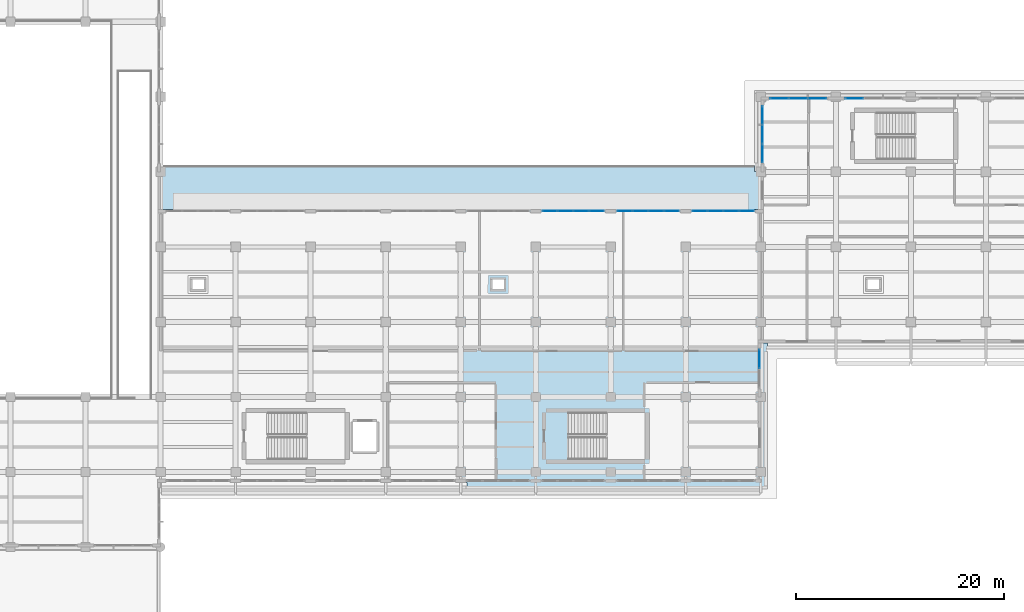
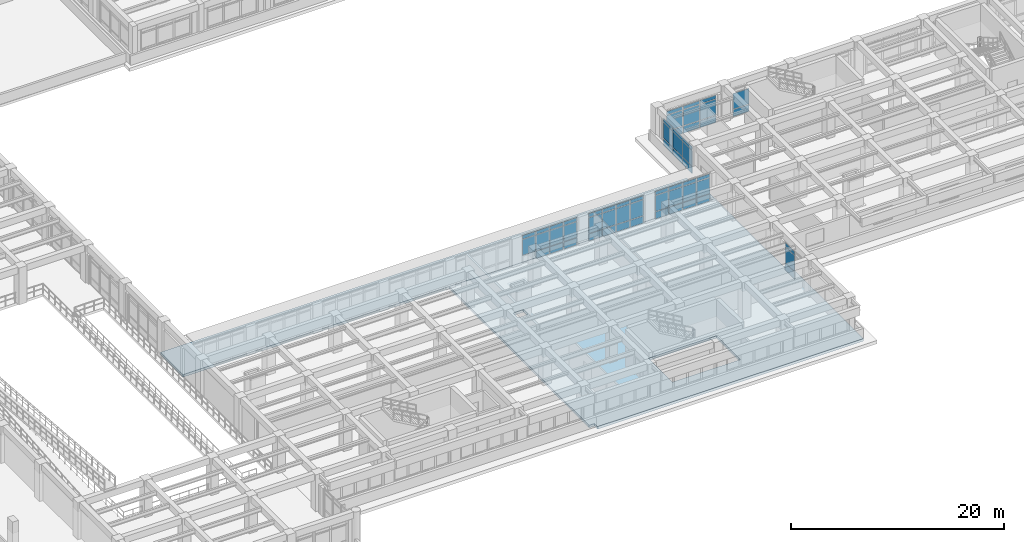
# One storey, part 39 of 69: 58 plates, 2 slabs, 7 elements without a shape of their own.
"""IFC4 building model written with IfcOpenShell, lengths in metres."""

from ifc_helpers import new_model, si_unit, direction, frame, origin, origin_2d, place, context, subcontext, project, spatial, polyline, rectangle, outline, extrude, material, layer, layer_set, type_object, element, aggregate, save


model = new_model("IFC4")

# Units and contexts
model_context = context("Model", 3, precision=1e-05, world=origin(), true_north=direction((0.0, 1.0)))
body_context = subcontext(model_context, "Body", "Model", "MODEL_VIEW")
ifc_project = project(units=[si_unit("LENGTHUNIT", "METRE"), si_unit("AREAUNIT", "SQUARE_METRE"), si_unit("VOLUMEUNIT", "CUBIC_METRE"), si_unit("PLANEANGLEUNIT", "RADIAN"), si_unit("MASSUNIT", "GRAM", prefix="KILO")], contexts=[model_context])

# Site, building, storey
site_placement = place(None, origin())
site = spatial("IfcSite", under=ifc_project, at=site_placement, CompositionType="ELEMENT")
building_placement = place(site_placement, origin())
building = spatial("IfcBuilding", under=site, at=building_placement, Name="Solenvale Faculty of Natural Sciences", CompositionType="ELEMENT")
storey_placement = place(building_placement, frame((0.0, 0.0, 4.5)))
storey = spatial("IfcBuildingStorey", under=building, at=storey_placement, Name="L01", CompositionType="ELEMENT", Elevation=4.5)

# Curtain wall, plates
ifc_material_1 = material(Name="Anodised bronze aluminium", Category="aluminium")
ifc_layer_1 = layer(ifc_material_1, 0.18994140625)
ifc_layer_set_1 = layer_set([ifc_layer_1], Name="Anodised bronze aluminium")
curtain_wall_type_1 = type_object("IfcCurtainWallType", Name="CW-TRAY-REC", PredefinedType="USERDEFINED", material=ifc_layer_set_1)
curtain_wall_1_placement = place(storey_placement, origin())
curtain_wall_1 = element("IfcCurtainWall", 1, at=curtain_wall_1_placement, inside=storey, type_object=curtain_wall_type_1, Name="L01 Curtain Wall CW-L01-P1-E11-B3", ObjectType="UNITISED CURTAIN WALL", PredefinedType="USERDEFINED")
ifc_material_2 = material(Name="North-light skylight glass", Category="glass")
ifc_layer_2 = layer(ifc_material_2, 0.028076171875)
ifc_layer_set_2 = layer_set([ifc_layer_2], Name="North-light skylight glass")
plate_type_1 = type_object("IfcPlateType", Name="CWP-PNL-28", PredefinedType="CURTAIN_PANEL", material=ifc_layer_set_2)
plate_1_placement = place(storey_placement, frame((99.4462890625, 46.637451171875, 0.074951171875), z_axis=(0.0, 0.0, 1.0), x_axis=(-1.0, 0.0, 0.0)))
plate_1 = element("IfcPlate", 2, at=plate_1_placement, type_object=plate_type_1, Name="CW-02 panel 1.1", PredefinedType="CURTAIN_PANEL", context=body_context, shape_type="SweptSolid", body=[
    extrude(rectangle(XDim=1.3974609375, YDim=0.028076171875, at=origin_2d()), origin(), (0.0, 0.0, 1.0), 0.78759765625),
])
plate_2_placement = place(storey_placement, frame((99.4462890625, 46.637451171875, 0.9375), z_axis=(0.0, 0.0, 1.0), x_axis=(-1.0, 0.0, 0.0)))
plate_2 = element("IfcPlate", 3, at=plate_2_placement, type_object=plate_type_1, Name="CW-02 panel 1.2", PredefinedType="CURTAIN_PANEL", context=body_context, shape_type="SweptSolid", body=[
    extrude(rectangle(XDim=1.3974609375, YDim=0.028076171875, at=origin_2d()), origin(), (0.0, 0.0, 1.0), 1.784912109375),
])
plate_3_placement = place(storey_placement, frame((99.4462890625, 46.637451171875, 2.79736328125), z_axis=(0.0, 0.0, 1.0), x_axis=(-1.0, 0.0, 0.0)))
plate_3 = element("IfcPlate", 4, at=plate_3_placement, type_object=plate_type_1, Name="CW-02 panel 1.3", PredefinedType="CURTAIN_PANEL", context=body_context, shape_type="SweptSolid", body=[
    extrude(rectangle(XDim=1.3974609375, YDim=0.028076171875, at=origin_2d()), origin(), (0.0, 0.0, 1.0), 0.387451171875),
])
plate_4_placement = place(storey_placement, frame((97.955078125, 46.637451171875, 0.074951171875), z_axis=(0.0, 0.0, 1.0), x_axis=(-1.0, 0.0, 0.0)))
plate_4 = element("IfcPlate", 5, at=plate_4_placement, type_object=plate_type_1, Name="CW-02 panel 2.1", PredefinedType="CURTAIN_PANEL", context=body_context, shape_type="SweptSolid", body=[
    extrude(rectangle(XDim=1.43505859375, YDim=0.028076171875, at=origin_2d()), origin(), (0.0, 0.0, 1.0), 0.78759765625),
])
plate_5_placement = place(storey_placement, frame((97.955078125, 46.637451171875, 0.9375), z_axis=(0.0, 0.0, 1.0), x_axis=(-1.0, 0.0, 0.0)))
plate_5 = element("IfcPlate", 6, at=plate_5_placement, type_object=plate_type_1, Name="CW-02 panel 2.2", PredefinedType="CURTAIN_PANEL", context=body_context, shape_type="SweptSolid", body=[
    extrude(rectangle(XDim=1.43505859375, YDim=0.028076171875, at=origin_2d()), origin(), (0.0, 0.0, 1.0), 1.784912109375),
])
plate_6_placement = place(storey_placement, frame((97.955078125, 46.637451171875, 2.79736328125), z_axis=(0.0, 0.0, 1.0), x_axis=(-1.0, 0.0, 0.0)))
plate_6 = element("IfcPlate", 7, at=plate_6_placement, type_object=plate_type_1, Name="CW-02 panel 2.3", PredefinedType="CURTAIN_PANEL", context=body_context, shape_type="SweptSolid", body=[
    extrude(rectangle(XDim=1.43505859375, YDim=0.028076171875, at=origin_2d()), origin(), (0.0, 0.0, 1.0), 0.387451171875),
])
plate_7_placement = place(storey_placement, frame((96.445068359375, 46.637451171875, 0.074951171875), z_axis=(0.0, 0.0, 1.0), x_axis=(-1.0, 0.0, 0.0)))
plate_7 = element("IfcPlate", 8, at=plate_7_placement, type_object=plate_type_1, Name="CW-02 panel 3.1", PredefinedType="CURTAIN_PANEL", context=body_context, shape_type="SweptSolid", body=[
    extrude(rectangle(XDim=1.43505859375, YDim=0.028076171875, at=origin_2d()), origin(), (0.0, 0.0, 1.0), 0.78759765625),
])
plate_8_placement = place(storey_placement, frame((96.445068359375, 46.637451171875, 0.9375), z_axis=(0.0, 0.0, 1.0), x_axis=(-1.0, 0.0, 0.0)))
plate_8 = element("IfcPlate", 9, at=plate_8_placement, type_object=plate_type_1, Name="CW-02 panel 3.2", PredefinedType="CURTAIN_PANEL", context=body_context, shape_type="SweptSolid", body=[
    extrude(rectangle(XDim=1.43505859375, YDim=0.028076171875, at=origin_2d()), origin(), (0.0, 0.0, 1.0), 1.784912109375),
])
plate_9_placement = place(storey_placement, frame((96.445068359375, 46.637451171875, 2.79736328125), z_axis=(0.0, 0.0, 1.0), x_axis=(-1.0, 0.0, 0.0)))
plate_9 = element("IfcPlate", 10, at=plate_9_placement, type_object=plate_type_1, Name="CW-02 panel 3.3", PredefinedType="CURTAIN_PANEL", context=body_context, shape_type="SweptSolid", body=[
    extrude(rectangle(XDim=1.43505859375, YDim=0.028076171875, at=origin_2d()), origin(), (0.0, 0.0, 1.0), 0.387451171875),
])
plate_10_placement = place(storey_placement, frame((94.953857421875, 46.637451171875, 0.9375), z_axis=(0.0, 0.0, 1.0), x_axis=(-1.0, 0.0, 0.0)))
plate_10 = element("IfcPlate", 11, at=plate_10_placement, type_object=plate_type_1, Name="CW-02 panel 4.2", PredefinedType="CURTAIN_PANEL", context=body_context, shape_type="SweptSolid", body=[
    extrude(rectangle(XDim=1.3974609375, YDim=0.028076171875, at=origin_2d()), origin(), (0.0, 0.0, 1.0), 1.784912109375),
])
plate_11_placement = place(storey_placement, frame((94.953857421875, 46.637451171875, 2.79736328125), z_axis=(0.0, 0.0, 1.0), x_axis=(-1.0, 0.0, 0.0)))
plate_11 = element("IfcPlate", 12, at=plate_11_placement, type_object=plate_type_1, Name="CW-02 panel 4.3", PredefinedType="CURTAIN_PANEL", context=body_context, shape_type="SweptSolid", body=[
    extrude(rectangle(XDim=1.3974609375, YDim=0.028076171875, at=origin_2d()), origin(), (0.0, 0.0, 1.0), 0.387451171875),
])
aggregate(curtain_wall_1, [plate_1, plate_2, plate_3, plate_4, plate_5, plate_6, plate_7, plate_8, plate_9, plate_10, plate_11])

ifc_layer_3 = layer(ifc_material_1, 0.199951171875)
ifc_layer_set_3 = layer_set([ifc_layer_3], Name="Anodised bronze aluminium")
curtain_wall_type_2 = type_object("IfcCurtainWallType", Name="CW-COM-FIN", PredefinedType="USERDEFINED", material=ifc_layer_set_3)
curtain_wall_2_placement = place(storey_placement, origin())
curtain_wall_2 = element("IfcCurtainWall", 13, at=curtain_wall_2_placement, inside=storey, type_object=curtain_wall_type_2, Name="L01 Curtain Wall CW-L01-P1-E9-B6", ObjectType="UNITISED CURTAIN WALL", PredefinedType="USERDEFINED")
ifc_material_3 = material(Name="Triple low-E insulated glass", Category="glass")
ifc_layer_4 = layer(ifc_material_3, 0.031982421875)
ifc_layer_set_4 = layer_set([ifc_layer_4], Name="Triple low-E insulated glass")
plate_type_2 = type_object("IfcPlateType", Name="CWP-PNL-32", PredefinedType="CURTAIN_PANEL", material=ifc_layer_set_4)
plate_12_placement = place(storey_placement, frame((124.185302734375, 57.45751953125, 0.074951171875), z_axis=(0.0, 0.0, 1.0), x_axis=(-1.0, 0.0, 0.0)))
plate_12 = element("IfcPlate", 14, at=plate_12_placement, type_object=plate_type_2, Name="CW-03 panel 3.1", PredefinedType="CURTAIN_PANEL", context=body_context, shape_type="SweptSolid", body=[
    extrude(rectangle(XDim=1.720947265625, YDim=0.031982421875, at=origin_2d()), origin(), (0.0, 0.0, 1.0), 0.78759765625),
])
plate_13_placement = place(storey_placement, frame((124.185302734375, 57.45751953125, 0.9375), z_axis=(0.0, 0.0, 1.0), x_axis=(-1.0, 0.0, 0.0)))
plate_13 = element("IfcPlate", 15, at=plate_13_placement, type_object=plate_type_2, Name="CW-03 panel 3.2", PredefinedType="CURTAIN_PANEL", context=body_context, shape_type="SweptSolid", body=[
    extrude(rectangle(XDim=1.720947265625, YDim=0.031982421875, at=origin_2d()), origin(), (0.0, 0.0, 1.0), 1.784912109375),
])
aggregate(curtain_wall_2, [plate_12, plate_13])

ifc_layer_5 = layer(ifc_material_1, 0.179931640625)
ifc_layer_set_5 = layer_set([ifc_layer_5], Name="Anodised bronze aluminium")
curtain_wall_type_3 = type_object("IfcCurtainWallType", Name="CW-TWR-MOD", PredefinedType="USERDEFINED", material=ifc_layer_set_5)
curtain_wall_3_placement = place(storey_placement, origin())
curtain_wall_3 = element("IfcCurtainWall", 16, at=curtain_wall_3_placement, inside=storey, type_object=curtain_wall_type_3, Name="L01 Curtain Wall CW-L01-P1-E6-B2", ObjectType="UNITISED CURTAIN WALL", PredefinedType="USERDEFINED")
ifc_layer_6 = layer(ifc_material_3, 0.035888671875)
ifc_layer_set_6 = layer_set([ifc_layer_6], Name="Triple low-E insulated glass")
plate_type_3 = type_object("IfcPlateType", Name="CWP-PNL-36", PredefinedType="CURTAIN_PANEL", material=ifc_layer_set_6)
plate_14_placement = place(storey_placement, frame((115.0576171875, 32.458740234375, 0.074951171875), z_axis=(0.0, 0.0, 1.0), x_axis=(0.0, 1.0, 0.0)))
plate_14 = element("IfcPlate", 17, at=plate_14_placement, type_object=plate_type_3, Name="CW-04 panel 2.1", PredefinedType="CURTAIN_PANEL", context=body_context, shape_type="SweptSolid", body=[
    extrude(rectangle(XDim=1.7724609375, YDim=0.035888671875, at=origin_2d()), origin(), (0.0, 0.0, 1.0), 0.78759765625),
])
plate_15_placement = place(storey_placement, frame((115.0576171875, 32.458740234375, 0.9375), z_axis=(0.0, 0.0, 1.0), x_axis=(0.0, 1.0, 0.0)))
plate_15 = element("IfcPlate", 18, at=plate_15_placement, type_object=plate_type_3, Name="CW-04 panel 2.2", PredefinedType="CURTAIN_PANEL", context=body_context, shape_type="SweptSolid", body=[
    extrude(rectangle(XDim=1.7724609375, YDim=0.035888671875, at=origin_2d()), origin(), (0.0, 0.0, 1.0), 1.784912109375),
])
plate_16_placement = place(storey_placement, frame((115.0576171875, 32.458740234375, 2.79736328125), z_axis=(0.0, 0.0, 1.0), x_axis=(0.0, 1.0, 0.0)))
plate_16 = element("IfcPlate", 19, at=plate_16_placement, type_object=plate_type_3, Name="CW-04 panel 2.3", PredefinedType="CURTAIN_PANEL", context=body_context, shape_type="SweptSolid", body=[
    extrude(rectangle(XDim=1.7724609375, YDim=0.035888671875, at=origin_2d()), origin(), (0.0, 0.0, 1.0), 0.387451171875),
])
aggregate(curtain_wall_3, [plate_14, plate_15, plate_16])

curtain_wall_4_placement = place(storey_placement, origin())
curtain_wall_4 = element("IfcCurtainWall", 20, at=curtain_wall_4_placement, inside=storey, type_object=curtain_wall_type_2, Name="L01 Curtain Wall CW-L01-P1-E9-B7", ObjectType="UNITISED CURTAIN WALL", PredefinedType="USERDEFINED")
plate_17_placement = place(storey_placement, frame((120.614501953125, 57.45751953125, 0.074951171875), z_axis=(0.0, 0.0, 1.0), x_axis=(-1.0, 0.0, 0.0)))
plate_17 = element("IfcPlate", 21, at=plate_17_placement, type_object=plate_type_3, Name="CW-03 panel 1.1", PredefinedType="CURTAIN_PANEL", context=body_context, shape_type="SweptSolid", body=[
    extrude(rectangle(XDim=1.720947265625, YDim=0.035888671875, at=origin_2d()), origin(), (0.0, 0.0, 1.0), 0.78759765625),
])
plate_18_placement = place(storey_placement, frame((120.614501953125, 57.45751953125, 0.9375), z_axis=(0.0, 0.0, 1.0), x_axis=(-1.0, 0.0, 0.0)))
plate_18 = element("IfcPlate", 22, at=plate_18_placement, type_object=plate_type_3, Name="CW-03 panel 1.2", PredefinedType="CURTAIN_PANEL", context=body_context, shape_type="SweptSolid", body=[
    extrude(rectangle(XDim=1.720947265625, YDim=0.035888671875, at=origin_2d()), origin(), (0.0, 0.0, 1.0), 1.784912109375),
])
plate_19_placement = place(storey_placement, frame((120.614501953125, 57.45751953125, 2.79736328125), z_axis=(0.0, 0.0, 1.0), x_axis=(-1.0, 0.0, 0.0)))
plate_19 = element("IfcPlate", 23, at=plate_19_placement, type_object=plate_type_3, Name="CW-03 panel 1.3", PredefinedType="CURTAIN_PANEL", context=body_context, shape_type="SweptSolid", body=[
    extrude(rectangle(XDim=1.720947265625, YDim=0.035888671875, at=origin_2d()), origin(), (0.0, 0.0, 1.0), 0.387451171875),
])
plate_20_placement = place(storey_placement, frame((118.800048828125, 57.45751953125, 0.074951171875), z_axis=(0.0, 0.0, 1.0), x_axis=(-1.0, 0.0, 0.0)))
plate_20 = element("IfcPlate", 24, at=plate_20_placement, type_object=plate_type_3, Name="CW-03 panel 2.1", PredefinedType="CURTAIN_PANEL", context=body_context, shape_type="SweptSolid", body=[
    extrude(rectangle(XDim=1.75830078125, YDim=0.035888671875, at=origin_2d()), origin(), (0.0, 0.0, 1.0), 0.78759765625),
])
plate_21_placement = place(storey_placement, frame((118.800048828125, 57.45751953125, 0.9375), z_axis=(0.0, 0.0, 1.0), x_axis=(-1.0, 0.0, 0.0)))
plate_21 = element("IfcPlate", 25, at=plate_21_placement, type_object=plate_type_3, Name="CW-03 panel 2.2", PredefinedType="CURTAIN_PANEL", context=body_context, shape_type="SweptSolid", body=[
    extrude(rectangle(XDim=1.75830078125, YDim=0.035888671875, at=origin_2d()), origin(), (0.0, 0.0, 1.0), 1.784912109375),
])
plate_22_placement = place(storey_placement, frame((118.800048828125, 57.45751953125, 2.79736328125), z_axis=(0.0, 0.0, 1.0), x_axis=(-1.0, 0.0, 0.0)))
plate_22 = element("IfcPlate", 26, at=plate_22_placement, type_object=plate_type_3, Name="CW-03 panel 2.3", PredefinedType="CURTAIN_PANEL", context=body_context, shape_type="SweptSolid", body=[
    extrude(rectangle(XDim=1.75830078125, YDim=0.035888671875, at=origin_2d()), origin(), (0.0, 0.0, 1.0), 0.387451171875),
])
plate_23_placement = place(storey_placement, frame((116.9853515625, 57.45751953125, 0.074951171875), z_axis=(0.0, 0.0, 1.0), x_axis=(-1.0, 0.0, 0.0)))
plate_23 = element("IfcPlate", 27, at=plate_23_placement, type_object=plate_type_3, Name="CW-03 panel 3.1", PredefinedType="CURTAIN_PANEL", context=body_context, shape_type="SweptSolid", body=[
    extrude(rectangle(XDim=1.720947265625, YDim=0.035888671875, at=origin_2d()), origin(), (0.0, 0.0, 1.0), 0.78759765625),
])
plate_24_placement = place(storey_placement, frame((116.9853515625, 57.45751953125, 0.9375), z_axis=(0.0, 0.0, 1.0), x_axis=(-1.0, 0.0, 0.0)))
plate_24 = element("IfcPlate", 28, at=plate_24_placement, type_object=plate_type_3, Name="CW-03 panel 3.2", PredefinedType="CURTAIN_PANEL", context=body_context, shape_type="SweptSolid", body=[
    extrude(rectangle(XDim=1.720947265625, YDim=0.035888671875, at=origin_2d()), origin(), (0.0, 0.0, 1.0), 1.784912109375),
])
plate_25_placement = place(storey_placement, frame((116.9853515625, 57.45751953125, 2.79736328125), z_axis=(0.0, 0.0, 1.0), x_axis=(-1.0, 0.0, 0.0)))
plate_25 = element("IfcPlate", 29, at=plate_25_placement, type_object=plate_type_3, Name="CW-03 panel 3.3", PredefinedType="CURTAIN_PANEL", context=body_context, shape_type="SweptSolid", body=[
    extrude(rectangle(XDim=1.720947265625, YDim=0.035888671875, at=origin_2d()), origin(), (0.0, 0.0, 1.0), 0.387451171875),
])
aggregate(curtain_wall_4, [plate_17, plate_18, plate_19, plate_20, plate_21, plate_22, plate_23, plate_24, plate_25])

curtain_wall_5_placement = place(storey_placement, origin())
curtain_wall_5 = element("IfcCurtainWall", 30, at=curtain_wall_5_placement, inside=storey, type_object=curtain_wall_type_2, Name="L01 Curtain Wall CW-L01-P1-E10-B1", ObjectType="UNITISED CURTAIN WALL", PredefinedType="USERDEFINED")
ifc_layer_7 = layer(ifc_material_1, 0.048095703125)
ifc_layer_set_7 = layer_set([ifc_layer_7], Name="Anodised bronze aluminium")
plate_type_4 = type_object("IfcPlateType", Name="CWP-PNL-48", PredefinedType="CURTAIN_PANEL", material=ifc_layer_set_7)
plate_26_placement = place(storey_placement, frame((115.342529296875, 55.814697265625, 0.074951171875), z_axis=(0.0, 0.0, 1.0), x_axis=(0.0, -1.0, 0.0)))
plate_26 = element("IfcPlate", 31, at=plate_26_placement, type_object=plate_type_4, Name="CW-03 panel 1.1", PredefinedType="CURTAIN_PANEL", context=body_context, shape_type="SweptSolid", body=[
    extrude(rectangle(XDim=1.720947265625, YDim=0.048095703125, at=origin_2d()), origin(), (0.0, 0.0, 1.0), 0.78759765625),
])
plate_27_placement = place(storey_placement, frame((115.342529296875, 55.814697265625, 0.9375), z_axis=(0.0, 0.0, 1.0), x_axis=(0.0, -1.0, 0.0)))
plate_27 = element("IfcPlate", 32, at=plate_27_placement, type_object=plate_type_4, Name="CW-03 panel 1.2", PredefinedType="CURTAIN_PANEL", context=body_context, shape_type="SweptSolid", body=[
    extrude(rectangle(XDim=1.720947265625, YDim=0.048095703125, at=origin_2d()), origin(), (0.0, 0.0, 1.0), 1.784912109375),
])
plate_28_placement = place(storey_placement, frame((115.342529296875, 55.814697265625, 2.79736328125), z_axis=(0.0, 0.0, 1.0), x_axis=(0.0, -1.0, 0.0)))
plate_28 = element("IfcPlate", 33, at=plate_28_placement, type_object=plate_type_4, Name="CW-03 panel 1.3", PredefinedType="CURTAIN_PANEL", context=body_context, shape_type="SweptSolid", body=[
    extrude(rectangle(XDim=1.720947265625, YDim=0.048095703125, at=origin_2d()), origin(), (0.0, 0.0, 1.0), 0.387451171875),
])
plate_29_placement = place(storey_placement, frame((115.342529296875, 54.0, 0.074951171875), z_axis=(0.0, 0.0, 1.0), x_axis=(0.0, -1.0, 0.0)))
plate_29 = element("IfcPlate", 34, at=plate_29_placement, type_object=plate_type_4, Name="CW-03 panel 2.1", PredefinedType="CURTAIN_PANEL", context=body_context, shape_type="SweptSolid", body=[
    extrude(rectangle(XDim=1.75830078125, YDim=0.048095703125, at=origin_2d()), origin(), (0.0, 0.0, 1.0), 0.78759765625),
])
plate_30_placement = place(storey_placement, frame((115.342529296875, 54.0, 0.9375), z_axis=(0.0, 0.0, 1.0), x_axis=(0.0, -1.0, 0.0)))
plate_30 = element("IfcPlate", 35, at=plate_30_placement, type_object=plate_type_4, Name="CW-03 panel 2.2", PredefinedType="CURTAIN_PANEL", context=body_context, shape_type="SweptSolid", body=[
    extrude(rectangle(XDim=1.75830078125, YDim=0.048095703125, at=origin_2d()), origin(), (0.0, 0.0, 1.0), 1.784912109375),
])
plate_31_placement = place(storey_placement, frame((115.342529296875, 54.0, 2.79736328125), z_axis=(0.0, 0.0, 1.0), x_axis=(0.0, -1.0, 0.0)))
plate_31 = element("IfcPlate", 36, at=plate_31_placement, type_object=plate_type_4, Name="CW-03 panel 2.3", PredefinedType="CURTAIN_PANEL", context=body_context, shape_type="SweptSolid", body=[
    extrude(rectangle(XDim=1.75830078125, YDim=0.048095703125, at=origin_2d()), origin(), (0.0, 0.0, 1.0), 0.387451171875),
])
plate_32_placement = place(storey_placement, frame((115.342529296875, 52.185302734375, 0.074951171875), z_axis=(0.0, 0.0, 1.0), x_axis=(0.0, -1.0, 0.0)))
plate_32 = element("IfcPlate", 37, at=plate_32_placement, type_object=plate_type_4, Name="CW-03 panel 3.1", PredefinedType="CURTAIN_PANEL", context=body_context, shape_type="SweptSolid", body=[
    extrude(rectangle(XDim=1.720947265625, YDim=0.048095703125, at=origin_2d()), origin(), (0.0, 0.0, 1.0), 0.78759765625),
])
plate_33_placement = place(storey_placement, frame((115.342529296875, 52.185302734375, 0.9375), z_axis=(0.0, 0.0, 1.0), x_axis=(0.0, -1.0, 0.0)))
plate_33 = element("IfcPlate", 38, at=plate_33_placement, type_object=plate_type_4, Name="CW-03 panel 3.2", PredefinedType="CURTAIN_PANEL", context=body_context, shape_type="SweptSolid", body=[
    extrude(rectangle(XDim=1.720947265625, YDim=0.048095703125, at=origin_2d()), origin(), (0.0, 0.0, 1.0), 1.784912109375),
])
plate_34_placement = place(storey_placement, frame((115.342529296875, 52.185302734375, 2.79736328125), z_axis=(0.0, 0.0, 1.0), x_axis=(0.0, -1.0, 0.0)))
plate_34 = element("IfcPlate", 39, at=plate_34_placement, type_object=plate_type_4, Name="CW-03 panel 3.3", PredefinedType="CURTAIN_PANEL", context=body_context, shape_type="SweptSolid", body=[
    extrude(rectangle(XDim=1.720947265625, YDim=0.048095703125, at=origin_2d()), origin(), (0.0, 0.0, 1.0), 0.387451171875),
])
aggregate(curtain_wall_5, [plate_26, plate_27, plate_28, plate_29, plate_30, plate_31, plate_32, plate_33, plate_34])

curtain_wall_6_placement = place(storey_placement, origin())
curtain_wall_6 = element("IfcCurtainWall", 40, at=curtain_wall_6_placement, inside=storey, type_object=curtain_wall_type_1, Name="L01 Curtain Wall CW-L01-P1-E11-B1", ObjectType="UNITISED CURTAIN WALL", PredefinedType="USERDEFINED")
ifc_layer_8 = layer(ifc_material_1, 0.053955078125)
ifc_layer_set_8 = layer_set([ifc_layer_8], Name="Anodised bronze aluminium")
plate_type_5 = type_object("IfcPlateType", Name="CWP-PNL-54", PredefinedType="CURTAIN_PANEL", material=ifc_layer_set_8)
plate_35_placement = place(storey_placement, frame((113.84619140625, 46.637451171875, 0.074951171875), z_axis=(0.0, 0.0, 1.0), x_axis=(-1.0, 0.0, 0.0)))
plate_35 = element("IfcPlate", 41, at=plate_35_placement, type_object=plate_type_5, Name="CW-02 panel 1.1", PredefinedType="CURTAIN_PANEL", context=body_context, shape_type="SweptSolid", body=[
    extrude(rectangle(XDim=1.3974609375, YDim=0.053955078125, at=origin_2d()), origin(), (0.0, 0.0, 1.0), 0.78759765625),
])
plate_36_placement = place(storey_placement, frame((113.84619140625, 46.637451171875, 0.9375), z_axis=(0.0, 0.0, 1.0), x_axis=(-1.0, 0.0, 0.0)))
plate_36 = element("IfcPlate", 42, at=plate_36_placement, type_object=plate_type_5, Name="CW-02 panel 1.2", PredefinedType="CURTAIN_PANEL", context=body_context, shape_type="SweptSolid", body=[
    extrude(rectangle(XDim=1.3974609375, YDim=0.053955078125, at=origin_2d()), origin(), (0.0, 0.0, 1.0), 1.784912109375),
])
plate_37_placement = place(storey_placement, frame((113.84619140625, 46.637451171875, 2.79736328125), z_axis=(0.0, 0.0, 1.0), x_axis=(-1.0, 0.0, 0.0)))
plate_37 = element("IfcPlate", 43, at=plate_37_placement, type_object=plate_type_5, Name="CW-02 panel 1.3", PredefinedType="CURTAIN_PANEL", context=body_context, shape_type="SweptSolid", body=[
    extrude(rectangle(XDim=1.3974609375, YDim=0.053955078125, at=origin_2d()), origin(), (0.0, 0.0, 1.0), 0.387451171875),
])
plate_38_placement = place(storey_placement, frame((112.35498046875, 46.637451171875, 0.074951171875), z_axis=(0.0, 0.0, 1.0), x_axis=(-1.0, 0.0, 0.0)))
plate_38 = element("IfcPlate", 44, at=plate_38_placement, type_object=plate_type_5, Name="CW-02 panel 2.1", PredefinedType="CURTAIN_PANEL", context=body_context, shape_type="SweptSolid", body=[
    extrude(rectangle(XDim=1.43505859375, YDim=0.053955078125, at=origin_2d()), origin(), (0.0, 0.0, 1.0), 0.78759765625),
])
plate_39_placement = place(storey_placement, frame((112.35498046875, 46.637451171875, 0.9375), z_axis=(0.0, 0.0, 1.0), x_axis=(-1.0, 0.0, 0.0)))
plate_39 = element("IfcPlate", 45, at=plate_39_placement, type_object=plate_type_5, Name="CW-02 panel 2.2", PredefinedType="CURTAIN_PANEL", context=body_context, shape_type="SweptSolid", body=[
    extrude(rectangle(XDim=1.43505859375, YDim=0.053955078125, at=origin_2d()), origin(), (0.0, 0.0, 1.0), 1.784912109375),
])
plate_40_placement = place(storey_placement, frame((112.35498046875, 46.637451171875, 2.79736328125), z_axis=(0.0, 0.0, 1.0), x_axis=(-1.0, 0.0, 0.0)))
plate_40 = element("IfcPlate", 46, at=plate_40_placement, type_object=plate_type_5, Name="CW-02 panel 2.3", PredefinedType="CURTAIN_PANEL", context=body_context, shape_type="SweptSolid", body=[
    extrude(rectangle(XDim=1.43505859375, YDim=0.053955078125, at=origin_2d()), origin(), (0.0, 0.0, 1.0), 0.387451171875),
])
plate_41_placement = place(storey_placement, frame((110.844970703125, 46.637451171875, 0.074951171875), z_axis=(0.0, 0.0, 1.0), x_axis=(-1.0, 0.0, 0.0)))
plate_41 = element("IfcPlate", 47, at=plate_41_placement, type_object=plate_type_5, Name="CW-02 panel 3.1", PredefinedType="CURTAIN_PANEL", context=body_context, shape_type="SweptSolid", body=[
    extrude(rectangle(XDim=1.43505859375, YDim=0.053955078125, at=origin_2d()), origin(), (0.0, 0.0, 1.0), 0.78759765625),
])
plate_42_placement = place(storey_placement, frame((110.844970703125, 46.637451171875, 0.9375), z_axis=(0.0, 0.0, 1.0), x_axis=(-1.0, 0.0, 0.0)))
plate_42 = element("IfcPlate", 48, at=plate_42_placement, type_object=plate_type_5, Name="CW-02 panel 3.2", PredefinedType="CURTAIN_PANEL", context=body_context, shape_type="SweptSolid", body=[
    extrude(rectangle(XDim=1.43505859375, YDim=0.053955078125, at=origin_2d()), origin(), (0.0, 0.0, 1.0), 1.784912109375),
])
plate_43_placement = place(storey_placement, frame((110.844970703125, 46.637451171875, 2.79736328125), z_axis=(0.0, 0.0, 1.0), x_axis=(-1.0, 0.0, 0.0)))
plate_43 = element("IfcPlate", 49, at=plate_43_placement, type_object=plate_type_5, Name="CW-02 panel 3.3", PredefinedType="CURTAIN_PANEL", context=body_context, shape_type="SweptSolid", body=[
    extrude(rectangle(XDim=1.43505859375, YDim=0.053955078125, at=origin_2d()), origin(), (0.0, 0.0, 1.0), 0.387451171875),
])
plate_44_placement = place(storey_placement, frame((109.353759765625, 46.637451171875, 0.074951171875), z_axis=(0.0, 0.0, 1.0), x_axis=(-1.0, 0.0, 0.0)))
plate_44 = element("IfcPlate", 50, at=plate_44_placement, type_object=plate_type_5, Name="CW-02 panel 4.1", PredefinedType="CURTAIN_PANEL", context=body_context, shape_type="SweptSolid", body=[
    extrude(rectangle(XDim=1.3974609375, YDim=0.053955078125, at=origin_2d()), origin(), (0.0, 0.0, 1.0), 0.78759765625),
])
plate_45_placement = place(storey_placement, frame((109.353759765625, 46.637451171875, 0.9375), z_axis=(0.0, 0.0, 1.0), x_axis=(-1.0, 0.0, 0.0)))
plate_45 = element("IfcPlate", 51, at=plate_45_placement, type_object=plate_type_5, Name="CW-02 panel 4.2", PredefinedType="CURTAIN_PANEL", context=body_context, shape_type="SweptSolid", body=[
    extrude(rectangle(XDim=1.3974609375, YDim=0.053955078125, at=origin_2d()), origin(), (0.0, 0.0, 1.0), 1.784912109375),
])
plate_46_placement = place(storey_placement, frame((109.353759765625, 46.637451171875, 2.79736328125), z_axis=(0.0, 0.0, 1.0), x_axis=(-1.0, 0.0, 0.0)))
plate_46 = element("IfcPlate", 52, at=plate_46_placement, type_object=plate_type_5, Name="CW-02 panel 4.3", PredefinedType="CURTAIN_PANEL", context=body_context, shape_type="SweptSolid", body=[
    extrude(rectangle(XDim=1.3974609375, YDim=0.053955078125, at=origin_2d()), origin(), (0.0, 0.0, 1.0), 0.387451171875),
])
aggregate(curtain_wall_6, [plate_35, plate_36, plate_37, plate_38, plate_39, plate_40, plate_41, plate_42, plate_43, plate_44, plate_45, plate_46])

curtain_wall_7_placement = place(storey_placement, origin())
curtain_wall_7 = element("IfcCurtainWall", 53, at=curtain_wall_7_placement, inside=storey, type_object=curtain_wall_type_1, Name="L01 Curtain Wall CW-L01-P1-E11-B2", ObjectType="UNITISED CURTAIN WALL", PredefinedType="USERDEFINED")
ifc_layer_9 = layer(ifc_material_1, 0.06005859375)
ifc_layer_set_9 = layer_set([ifc_layer_9], Name="Anodised bronze aluminium")
plate_type_6 = type_object("IfcPlateType", Name="CWP-PNL-60", PredefinedType="CURTAIN_PANEL", material=ifc_layer_set_9)
plate_47_placement = place(storey_placement, frame((106.646240234375, 46.637451171875, 0.074951171875), z_axis=(0.0, 0.0, 1.0), x_axis=(-1.0, 0.0, 0.0)))
plate_47 = element("IfcPlate", 54, at=plate_47_placement, type_object=plate_type_6, Name="CW-02 panel 1.1", PredefinedType="CURTAIN_PANEL", context=body_context, shape_type="SweptSolid", body=[
    extrude(rectangle(XDim=1.3974609375, YDim=0.06005859375, at=origin_2d()), origin(), (0.0, 0.0, 1.0), 0.78759765625),
])
plate_48_placement = place(storey_placement, frame((106.646240234375, 46.637451171875, 0.9375), z_axis=(0.0, 0.0, 1.0), x_axis=(-1.0, 0.0, 0.0)))
plate_48 = element("IfcPlate", 55, at=plate_48_placement, type_object=plate_type_6, Name="CW-02 panel 1.2", PredefinedType="CURTAIN_PANEL", context=body_context, shape_type="SweptSolid", body=[
    extrude(rectangle(XDim=1.3974609375, YDim=0.06005859375, at=origin_2d()), origin(), (0.0, 0.0, 1.0), 1.784912109375),
])
plate_49_placement = place(storey_placement, frame((106.646240234375, 46.637451171875, 2.79736328125), z_axis=(0.0, 0.0, 1.0), x_axis=(-1.0, 0.0, 0.0)))
plate_49 = element("IfcPlate", 56, at=plate_49_placement, type_object=plate_type_6, Name="CW-02 panel 1.3", PredefinedType="CURTAIN_PANEL", context=body_context, shape_type="SweptSolid", body=[
    extrude(rectangle(XDim=1.3974609375, YDim=0.06005859375, at=origin_2d()), origin(), (0.0, 0.0, 1.0), 0.387451171875),
])
plate_50_placement = place(storey_placement, frame((105.155029296875, 46.637451171875, 0.074951171875), z_axis=(0.0, 0.0, 1.0), x_axis=(-1.0, 0.0, 0.0)))
plate_50 = element("IfcPlate", 57, at=plate_50_placement, type_object=plate_type_6, Name="CW-02 panel 2.1", PredefinedType="CURTAIN_PANEL", context=body_context, shape_type="SweptSolid", body=[
    extrude(rectangle(XDim=1.43505859375, YDim=0.06005859375, at=origin_2d()), origin(), (0.0, 0.0, 1.0), 0.78759765625),
])
plate_51_placement = place(storey_placement, frame((105.155029296875, 46.637451171875, 0.9375), z_axis=(0.0, 0.0, 1.0), x_axis=(-1.0, 0.0, 0.0)))
plate_51 = element("IfcPlate", 58, at=plate_51_placement, type_object=plate_type_6, Name="CW-02 panel 2.2", PredefinedType="CURTAIN_PANEL", context=body_context, shape_type="SweptSolid", body=[
    extrude(rectangle(XDim=1.43505859375, YDim=0.06005859375, at=origin_2d()), origin(), (0.0, 0.0, 1.0), 1.784912109375),
])
plate_52_placement = place(storey_placement, frame((105.155029296875, 46.637451171875, 2.79736328125), z_axis=(0.0, 0.0, 1.0), x_axis=(-1.0, 0.0, 0.0)))
plate_52 = element("IfcPlate", 59, at=plate_52_placement, type_object=plate_type_6, Name="CW-02 panel 2.3", PredefinedType="CURTAIN_PANEL", context=body_context, shape_type="SweptSolid", body=[
    extrude(rectangle(XDim=1.43505859375, YDim=0.06005859375, at=origin_2d()), origin(), (0.0, 0.0, 1.0), 0.387451171875),
])
plate_53_placement = place(storey_placement, frame((103.64501953125, 46.637451171875, 0.074951171875), z_axis=(0.0, 0.0, 1.0), x_axis=(-1.0, 0.0, 0.0)))
plate_53 = element("IfcPlate", 60, at=plate_53_placement, type_object=plate_type_6, Name="CW-02 panel 3.1", PredefinedType="CURTAIN_PANEL", context=body_context, shape_type="SweptSolid", body=[
    extrude(rectangle(XDim=1.43505859375, YDim=0.06005859375, at=origin_2d()), origin(), (0.0, 0.0, 1.0), 0.78759765625),
])
plate_54_placement = place(storey_placement, frame((103.64501953125, 46.637451171875, 0.9375), z_axis=(0.0, 0.0, 1.0), x_axis=(-1.0, 0.0, 0.0)))
plate_54 = element("IfcPlate", 61, at=plate_54_placement, type_object=plate_type_6, Name="CW-02 panel 3.2", PredefinedType="CURTAIN_PANEL", context=body_context, shape_type="SweptSolid", body=[
    extrude(rectangle(XDim=1.43505859375, YDim=0.06005859375, at=origin_2d()), origin(), (0.0, 0.0, 1.0), 1.784912109375),
])
plate_55_placement = place(storey_placement, frame((103.64501953125, 46.637451171875, 2.79736328125), z_axis=(0.0, 0.0, 1.0), x_axis=(-1.0, 0.0, 0.0)))
plate_55 = element("IfcPlate", 62, at=plate_55_placement, type_object=plate_type_6, Name="CW-02 panel 3.3", PredefinedType="CURTAIN_PANEL", context=body_context, shape_type="SweptSolid", body=[
    extrude(rectangle(XDim=1.43505859375, YDim=0.06005859375, at=origin_2d()), origin(), (0.0, 0.0, 1.0), 0.387451171875),
])
plate_56_placement = place(storey_placement, frame((102.15380859375, 46.637451171875, 0.074951171875), z_axis=(0.0, 0.0, 1.0), x_axis=(-1.0, 0.0, 0.0)))
plate_56 = element("IfcPlate", 63, at=plate_56_placement, type_object=plate_type_6, Name="CW-02 panel 4.1", PredefinedType="CURTAIN_PANEL", context=body_context, shape_type="SweptSolid", body=[
    extrude(rectangle(XDim=1.3974609375, YDim=0.06005859375, at=origin_2d()), origin(), (0.0, 0.0, 1.0), 0.78759765625),
])
plate_57_placement = place(storey_placement, frame((102.15380859375, 46.637451171875, 0.9375), z_axis=(0.0, 0.0, 1.0), x_axis=(-1.0, 0.0, 0.0)))
plate_57 = element("IfcPlate", 64, at=plate_57_placement, type_object=plate_type_6, Name="CW-02 panel 4.2", PredefinedType="CURTAIN_PANEL", context=body_context, shape_type="SweptSolid", body=[
    extrude(rectangle(XDim=1.3974609375, YDim=0.06005859375, at=origin_2d()), origin(), (0.0, 0.0, 1.0), 1.784912109375),
])
plate_58_placement = place(storey_placement, frame((102.15380859375, 46.637451171875, 2.79736328125), z_axis=(0.0, 0.0, 1.0), x_axis=(-1.0, 0.0, 0.0)))
plate_58 = element("IfcPlate", 65, at=plate_58_placement, type_object=plate_type_6, Name="CW-02 panel 4.3", PredefinedType="CURTAIN_PANEL", context=body_context, shape_type="SweptSolid", body=[
    extrude(rectangle(XDim=1.3974609375, YDim=0.06005859375, at=origin_2d()), origin(), (0.0, 0.0, 1.0), 0.387451171875),
])
aggregate(curtain_wall_7, [plate_47, plate_48, plate_49, plate_50, plate_51, plate_52, plate_53, plate_54, plate_55, plate_56, plate_57, plate_58])

# Slabs
ifc_material_4 = material(Name="Precast terrace paving concrete 35 MPa", Category="concrete")
ifc_layer_10 = layer(ifc_material_4, 0.280029296875)
ifc_layer_set_10 = layer_set([ifc_layer_10], Name="Precast terrace paving concrete 35 MPa")
slab_type_1 = type_object("IfcSlabType", Name="SL-TERR-280", PredefinedType="FLOOR", material=ifc_layer_set_10)
slab_1_placement = place(storey_placement, frame((0.0, 0.0, -0.280029296875)))
element("IfcSlab", 66, at=slab_1_placement, inside=storey, type_object=slab_type_1, Name="L01 North Courtyard Shaded Terrace 1", PredefinedType="FLOOR", context=body_context, shape_type="SweptSolid", body=[
    extrude(outline(polyline([(57.60009765625, 51.02001953125), (57.60595703125, 51.0341796875), (57.6201171875, 51.0400390625), (114.56201171875, 51.039794921875), (114.575439453125, 51.03271484375), (114.580078125, 51.02001953125), (114.580078125, 50.419921875), (115.179931640625, 50.419921875), (115.19970703125, 50.40380859375), (115.199951171875, 46.818115234375), (115.192626953125, 46.804443359375), (115.179931640625, 46.800048828125), (57.617919921875, 46.800048828125), (57.6044921875, 46.807373046875), (57.60009765625, 46.820068359375), (57.60009765625, 51.02001953125)])), origin(), (0.0, 0.0, 1.0), 0.280029296875),
])
ifc_material_5 = material(Name="Architectural bronze concrete 40 MPa", Category="concrete")
ifc_layer_11 = layer(ifc_material_5, 0.280029296875)
ifc_layer_set_11 = layer_set([ifc_layer_11], Name="Architectural bronze concrete 40 MPa")
slab_type_2 = type_object("IfcSlabType", Name="SL-TRAY-280", PredefinedType="FLOOR", material=ifc_layer_set_11)
slab_2_placement = place(storey_placement, frame((0.0, 0.0, -0.280029296875)))
element("IfcSlab", 67, at=slab_2_placement, inside=storey, type_object=slab_type_2, Name="L01 V4 Floor Slab 2.1", PredefinedType="FLOOR", context=body_context, shape_type="SweptSolid", body=[
    extrude(outline(polyline([(86.455078125, 20.580078125), (86.437255859375, 20.58740234375), (86.429931640625, 20.60498046875), (86.429931640625, 46.77490234375), (86.437255859375, 46.792724609375), (86.455078125, 46.800048828125), (115.175537109375, 46.800048828125), (115.19189453125, 46.7939453125), (115.199951171875, 46.780029296875), (115.22265625, 46.77294921875), (115.22998046875, 46.75537109375), (115.22998046875, 33.999755859375), (115.236328125, 33.9853515625), (115.249755859375, 33.97998046875), (115.797607421875, 33.97998046875), (115.814208984375, 33.970947265625), (115.820068359375, 33.955078125), (115.820068359375, 20.0048828125), (115.812744140625, 19.9873046875), (115.794921875, 19.97998046875), (87.044921875, 19.97998046875), (87.02734375, 19.9873046875), (87.02001953125, 20.0048828125), (87.02001953125, 20.580078125), (86.455078125, 20.580078125)]), holes=[polyline([(96.739990234375, 22.800048828125), (104.10009765625, 22.800048828125), (104.10009765625, 27.300048828125), (96.739990234375, 27.300048828125), (96.739990234375, 22.800048828125)]), polyline([(89.449951171875, 39.14990234375), (90.550048828125, 39.14990234375), (90.550048828125, 40.050048828125), (89.449951171875, 40.050048828125), (89.449951171875, 39.14990234375)])]), origin(), (0.0, 0.0, 1.0), 0.280029296875),
])

save(model, "model.ifc")
